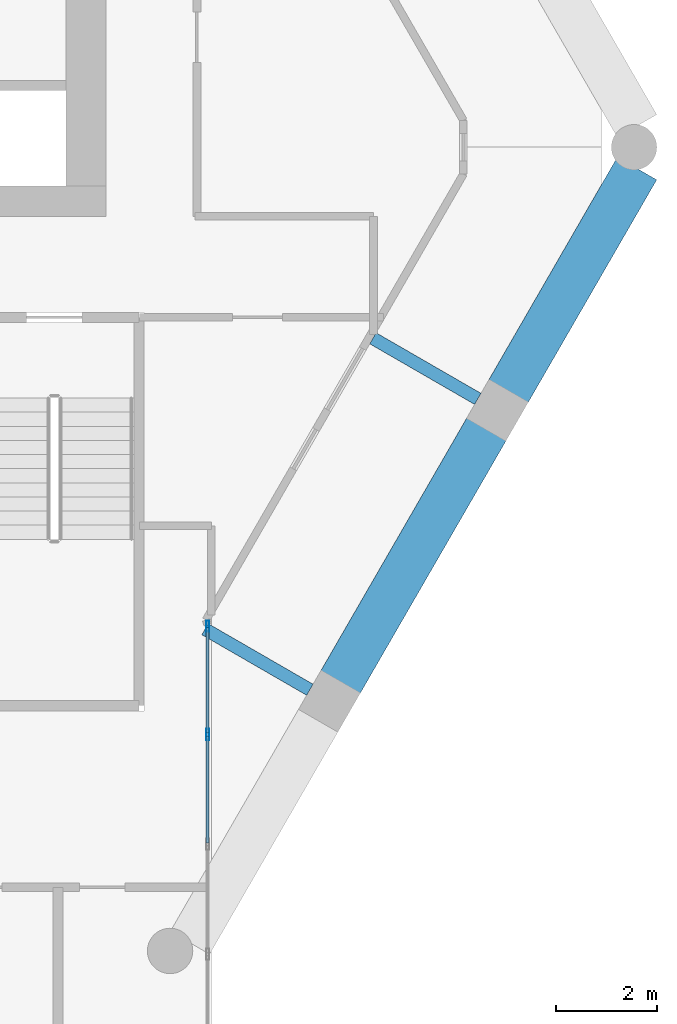
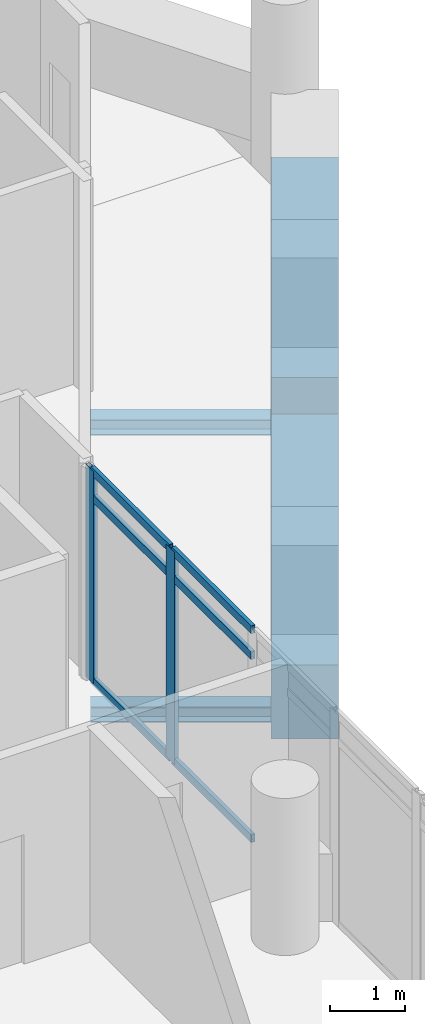
# One storey, part 10 of 25: 8 members, 4 beams, 1 element without a shape of its own.
"""IFC4 building model written with IfcOpenShell, lengths in metres."""

from ifc_helpers import new_model, si_unit, direction, frame, origin, origin_2d, place, context, subcontext, project, spatial, rectangle, hollow_rectangle, i_section, extrude, material, material_profile, profile_set, type_object, element, aggregate, save


model = new_model("IFC4")

# Units and contexts
model_context = context("Model", 3, precision=1e-05, world=origin(), true_north=direction((0.0, 1.0)))
body_context = subcontext(model_context, "Body", "Model", "MODEL_VIEW")
ifc_project = project(units=[si_unit("LENGTHUNIT", "METRE"), si_unit("AREAUNIT", "SQUARE_METRE"), si_unit("VOLUMEUNIT", "CUBIC_METRE"), si_unit("PLANEANGLEUNIT", "RADIAN"), si_unit("MASSUNIT", "GRAM", prefix="KILO")], contexts=[model_context])

# Site, building, storey
site_placement = place(None, origin())
site = spatial("IfcSite", under=ifc_project, at=site_placement, CompositionType="ELEMENT")
building_placement = place(site_placement, origin())
building = spatial("IfcBuilding", under=site, at=building_placement, Name="Ostrander Bayou Hotel Tower", CompositionType="ELEMENT")
storey_placement = place(building_placement, frame((0.0, 0.0, 233.25)))
storey = spatial("IfcBuildingStorey", under=building, at=storey_placement, Name="L58", CompositionType="ELEMENT", Elevation=233.25)

# Curtain wall, members
ifc_material_1 = material(Name="Aluminium and clear glass", Category="aluminium")
curtain_wall_type = type_object("IfcCurtainWallType", Name="CW-BAR glazed wall", PredefinedType="NOTDEFINED", material=ifc_material_1)
curtain_wall_placement = place(storey_placement, origin())
curtain_wall = element("IfcCurtainWall", 1, at=curtain_wall_placement, inside=storey, type_object=curtain_wall_type, Name="CW-BAR L58:SB5S:W", PredefinedType="NOTDEFINED")
ifc_material_2 = material(Name="Aluminium", Category="aluminium")
ifc_material_profile_1 = material_profile(ifc_material_2, hollow_rectangle(XDim=0.06005859375, YDim=0.219970703125, WallThickness=0.00390625, at=origin_2d()))
ifc_profile_set_1 = profile_set([ifc_material_profile_1], Name="Aluminium")
member_type_1 = type_object("IfcMemberType", Name="CW-BR mullion 60 x 220 mm", PredefinedType="MULLION", material=ifc_profile_set_1)
member_1_placement = place(storey_placement, frame((10.51220703125, -9.822265625, 0.0), z_axis=(0.0, 0.0, 1.0), x_axis=(1.0, 0.0, 0.0)))
member_1 = element("IfcMember", 2, at=member_1_placement, type_object=member_type_1, Name="CW-BAR mullion 1", PredefinedType="MULLION", context=body_context, shape_type="SweptSolid", body=[
    extrude(hollow_rectangle(XDim=0.06005859375, YDim=0.219970703125, WallThickness=0.00390625, at=origin_2d()), origin(), (0.0, 0.0, 1.0), 3.449951171875),
])
member_2_placement = place(storey_placement, frame((10.51220703125, -11.970703125, 0.0), z_axis=(0.0, 0.0, 1.0), x_axis=(1.0, 0.0, 0.0)))
member_2 = element("IfcMember", 3, at=member_2_placement, type_object=member_type_1, Name="CW-BAR mullion 2", PredefinedType="MULLION", context=body_context, shape_type="SweptSolid", body=[
    extrude(hollow_rectangle(XDim=0.06005859375, YDim=0.219970703125, WallThickness=0.00390625, at=origin_2d()), origin(), (0.0, 0.0, 1.0), 3.449951171875),
])
ifc_material_3 = material(Name="Aluminium", Category="aluminium")
ifc_material_profile_2 = material_profile(ifc_material_3, hollow_rectangle(XDim=0.06005859375, YDim=0.1298828125, WallThickness=0.00390625, at=origin_2d()))
ifc_profile_set_2 = profile_set([ifc_material_profile_2], Name="Aluminium")
member_type_2 = type_object("IfcMemberType", Name="CW-BR transom 60 x 130 mm", PredefinedType="USERDEFINED", material=ifc_profile_set_2)
member_3_placement = place(storey_placement, frame((10.51220703125, -9.852294921875, 0.030029296875), z_axis=(0.0, -1.0, 0.0), x_axis=(1.0, 0.0, 0.0)))
member_3 = element("IfcMember", 4, at=member_3_placement, type_object=member_type_2, Name="CW-BAR transom 1.1", ObjectType="TRANSOM", PredefinedType="USERDEFINED", context=body_context, shape_type="SweptSolid", body=[
    extrude(hollow_rectangle(XDim=0.06005859375, YDim=0.1298828125, WallThickness=0.00390625, at=origin_2d()), origin(), (0.0, 0.0, 1.0), 2.08837890625),
])
member_4_placement = place(storey_placement, frame((10.51220703125, -9.852294921875, 3.0), z_axis=(0.0, -1.0, 0.0), x_axis=(1.0, 0.0, 0.0)))
member_4 = element("IfcMember", 5, at=member_4_placement, type_object=member_type_2, Name="CW-BAR transom 1.2", ObjectType="TRANSOM", PredefinedType="USERDEFINED", context=body_context, shape_type="SweptSolid", body=[
    extrude(hollow_rectangle(XDim=0.06005859375, YDim=0.1298828125, WallThickness=0.00390625, at=origin_2d()), origin(), (0.0, 0.0, 1.0), 2.08837890625),
])
member_5_placement = place(storey_placement, frame((10.51220703125, -9.852294921875, 3.419921875), z_axis=(0.0, -1.0, 0.0), x_axis=(1.0, 0.0, 0.0)))
member_5 = element("IfcMember", 6, at=member_5_placement, type_object=member_type_2, Name="CW-BAR transom 1.3", ObjectType="TRANSOM", PredefinedType="USERDEFINED", context=body_context, shape_type="SweptSolid", body=[
    extrude(hollow_rectangle(XDim=0.06005859375, YDim=0.1298828125, WallThickness=0.00390625, at=origin_2d()), origin(), (0.0, 0.0, 1.0), 2.08837890625),
])
member_6_placement = place(storey_placement, frame((10.51220703125, -12.000732421875, 0.030029296875), z_axis=(0.0, -1.0, 0.0), x_axis=(1.0, 0.0, 0.0)))
member_6 = element("IfcMember", 7, at=member_6_placement, type_object=member_type_2, Name="CW-BAR transom 2.1", ObjectType="TRANSOM", PredefinedType="USERDEFINED", context=body_context, shape_type="SweptSolid", body=[
    extrude(hollow_rectangle(XDim=0.06005859375, YDim=0.1298828125, WallThickness=0.00390625, at=origin_2d()), origin(), (0.0, 0.0, 1.0), 2.1181640625),
])
member_7_placement = place(storey_placement, frame((10.51220703125, -12.000732421875, 3.0), z_axis=(0.0, -1.0, 0.0), x_axis=(1.0, 0.0, 0.0)))
member_7 = element("IfcMember", 8, at=member_7_placement, type_object=member_type_2, Name="CW-BAR transom 2.2", ObjectType="TRANSOM", PredefinedType="USERDEFINED", context=body_context, shape_type="SweptSolid", body=[
    extrude(hollow_rectangle(XDim=0.06005859375, YDim=0.1298828125, WallThickness=0.00390625, at=origin_2d()), origin(), (0.0, 0.0, 1.0), 2.1181640625),
])
member_8_placement = place(storey_placement, frame((10.51220703125, -12.000732421875, 3.419921875), z_axis=(0.0, -1.0, 0.0), x_axis=(1.0, 0.0, 0.0)))
member_8 = element("IfcMember", 9, at=member_8_placement, type_object=member_type_2, Name="CW-BAR transom 2.3", ObjectType="TRANSOM", PredefinedType="USERDEFINED", context=body_context, shape_type="SweptSolid", body=[
    extrude(hollow_rectangle(XDim=0.06005859375, YDim=0.1298828125, WallThickness=0.00390625, at=origin_2d()), origin(), (0.0, 0.0, 1.0), 2.1181640625),
])
aggregate(curtain_wall, [member_1, member_2, member_3, member_4, member_5, member_6, member_7, member_8])

# Beams
ifc_material_4 = material(Name="Steel ASTM A992", Category="steel")
ifc_material_profile_3 = material_profile(ifc_material_4, i_section(OverallWidth=0.25390625, OverallDepth=0.25341796875, WebThickness=0.008544921875, FlangeThickness=0.01416015625, at=origin_2d()))
ifc_profile_set_3 = profile_set([ifc_material_profile_3], Name="Steel ASTM A992")
beam_type_1 = type_object("IfcBeamType", Name="LB2 loggia bracket W10x49", PredefinedType="BEAM", material=ifc_profile_set_3)
for number, where, z_axis, x_axis, name in (
    (10, (12.5380859375, -11.083251953125, -0.4267578125), (-0.866024647952, 0.500001309137, 0.0), (-0.500001309137, -0.866024647952, 0.0), "LB2 L58 SE1"),
    (11, (15.867431640625, -5.316650390625, -0.4267578125), (-0.866024647952, 0.500001309137, 0.0), (-0.500001309137, -0.866024647952, 0.0), "LB2 L58 SE2"),
):
    element("IfcBeam", number, at=place(storey_placement, frame(where, z_axis=z_axis, x_axis=x_axis)), inside=storey, type_object=beam_type_1, Name=name, PredefinedType="BEAM", context=body_context, shape_type="SweptSolid", body=[
        extrude(i_section(OverallWidth=0.25390625, OverallDepth=0.25341796875, WebThickness=0.008544921875, FlangeThickness=0.01416015625, at=origin_2d()), origin(), (0.0, 0.0, 1.0), 2.39990234375),
    ])
ifc_material_5 = material(Name="Concrete f'c 60 MPa", Category="concrete")
ifc_material_profile_4 = material_profile(ifc_material_5, rectangle(XDim=0.89990234375, YDim=1.199951171875, at=origin_2d()))
ifc_profile_set_4 = profile_set([ifc_material_profile_4], Name="Concrete f'c 60 MPa")
beam_type_2 = type_object("IfcBeamType", Name="SP4 spandrel beam 900 x 1200 mm f'c 60 MPa", PredefinedType="SPANDREL", material=ifc_profile_set_4)
beam_1_placement = place(storey_placement, frame((13.1376953125, -10.944580078125, -0.60009765625), z_axis=(0.500015433515, 0.866016493057, 0.0), x_axis=(-0.866016493057, 0.500015433515, 0.0)))
element("IfcBeam", 12, at=beam_1_placement, inside=storey, type_object=beam_type_2, Name="SP4 L58 SE-2", PredefinedType="SPANDREL", context=body_context, shape_type="SweptSolid", body=[
    extrude(rectangle(XDim=0.89990234375, YDim=1.199951171875, at=origin_2d()), origin(), (0.0, 0.0, 1.0), 5.818603515625),
])
beam_2_placement = place(storey_placement, frame((16.46728515625, -5.177978515625, -0.60009765625), z_axis=(0.499995206172, 0.866028171485, 0.0), x_axis=(-0.866028171485, 0.499995206172, 0.0)))
element("IfcBeam", 13, at=beam_2_placement, inside=storey, type_object=beam_type_2, Name="SP4 L58 SE-3", PredefinedType="SPANDREL", context=body_context, shape_type="SweptSolid", body=[
    extrude(rectangle(XDim=0.89990234375, YDim=1.199951171875, at=origin_2d()), origin(), (0.0, 0.0, 1.0), 5.11376953125),
])

save(model, "model.ifc")
